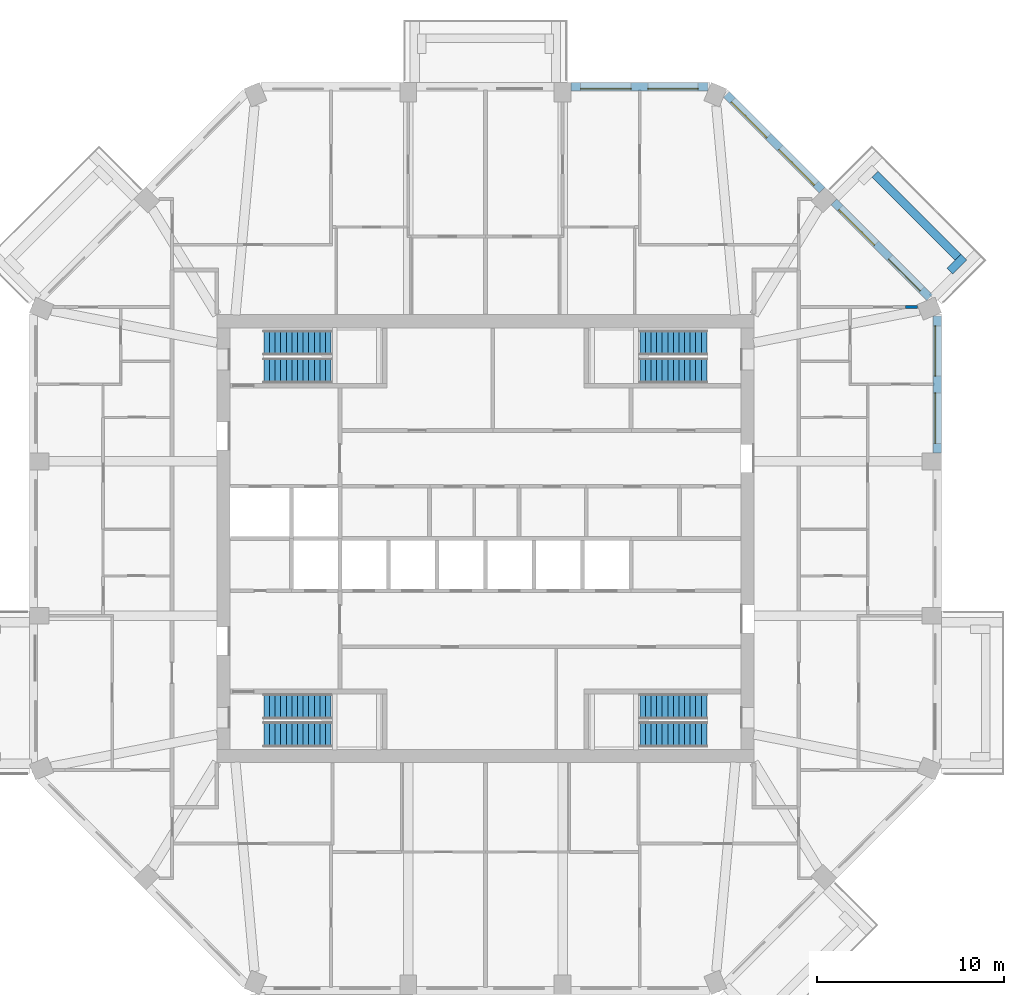
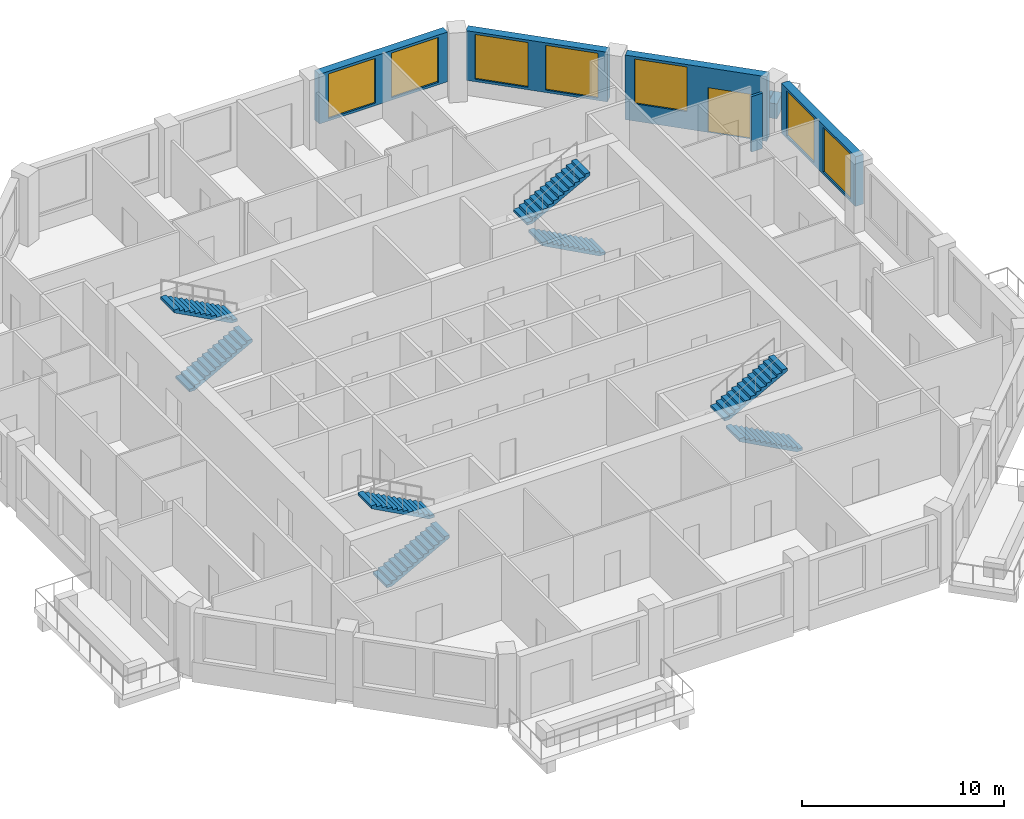
# One storey, part 9 of 10: 8 stair flights, 7 walls, 7 windows, 1 door, 8 openings, 4 elements without a shape of their own.
"""IFC4 building model written with IfcOpenShell, lengths in metres."""

from ifc_helpers import new_model, si_unit, direction, frame, frame_2d, origin, place, context, subcontext, project, spatial, polyline, rectangle, outline, extrude, material, layer, layer_set, type_object, element, fill, aggregate, save


model = new_model("IFC4")

# Units and contexts
model_context = context("Model", 3, precision=1e-05, world=origin(), true_north=direction((0.0, 1.0)))
body_context = subcontext(model_context, "Body", "Model", "MODEL_VIEW")
ifc_project = project(units=[si_unit("LENGTHUNIT", "METRE"), si_unit("AREAUNIT", "SQUARE_METRE"), si_unit("VOLUMEUNIT", "CUBIC_METRE"), si_unit("PLANEANGLEUNIT", "RADIAN"), si_unit("MASSUNIT", "GRAM", prefix="KILO")], contexts=[model_context])

# Site, building, storey
site_placement = place(None, origin())
site = spatial("IfcSite", under=ifc_project, at=site_placement, CompositionType="ELEMENT")
building_placement = place(site_placement, origin())
building = spatial("IfcBuilding", under=site, at=building_placement, Name="Msitu Wima Residences", CompositionType="ELEMENT")
storey_placement = place(building_placement, frame((0.0, 0.0, 195.89990234375)))
storey = spatial("IfcBuildingStorey", under=building, at=storey_placement, Name="L45", CompositionType="ELEMENT", Elevation=195.89990234375)

# Walls
ifc_material_1 = material(Name="Facing brick")
ifc_layer_1 = layer(ifc_material_1, 0.06494140625, Name="Facing brick")
ifc_material_2 = material(Name="Concrete C40/50", Category="concrete")
ifc_layer_2 = layer(ifc_material_2, 0.156005859375, Name="Concrete C40/50")
ifc_material_3 = material(Name="Waterproofing membrane")
ifc_layer_3 = layer(ifc_material_3, 0.00390625, Name="Waterproofing membrane")
ifc_material_4 = material(Name="Planting soil and planting")
ifc_layer_4 = layer(ifc_material_4, 0.22509765625, Name="Planting soil and planting")
ifc_layer_set_1 = layer_set([ifc_layer_1, ifc_layer_2, ifc_layer_3, ifc_layer_4], Name="Concrete C40/50")
wall_type_1 = type_object("IfcWallType", Name="Balcony planter PLANTER PL450", PredefinedType="USERDEFINED", material=ifc_layer_set_1)
wall_1_placement = place(storey_placement, frame((25.325927734375, 15.0810546875, 0.0), z_axis=(0.0, 0.0, 1.0), x_axis=(-0.707106781187, 0.707106781187, 0.0)))
element("IfcWall", 1, at=wall_1_placement, inside=storey, type_object=wall_type_1, Name="Balcony planter NE0 L45", ObjectType="PLANTER", PredefinedType="USERDEFINED", context=body_context, shape_type="SweptSolid", body=[
    extrude(rectangle(XDim=6.294189453125, YDim=0.449951171875, at=frame_2d((3.14697265625, 0.0))), origin(), (0.0, 0.0, 1.0), 0.900146484375),
])
wall_2_placement = place(storey_placement, frame((24.901611328125, 14.338623046875, 0.0), z_axis=(0.0, 0.0, 1.0), x_axis=(0.707106781187, 0.707106781187, 0.0)))
element("IfcWall", 2, at=wall_2_placement, inside=storey, type_object=wall_type_1, Name="Balcony planter NE0 L45", ObjectType="PLANTER", PredefinedType="USERDEFINED", context=body_context, shape_type="SweptSolid", body=[
    extrude(rectangle(XDim=1.050048828125, YDim=0.449951171875, at=frame_2d((0.52490234375, 0.0))), origin(), (0.0, 0.0, 1.0), 0.900146484375),
])

# Wall, openings, windows
ifc_material_5 = material(Name="Brick (red buff mix)", Category="masonry")
ifc_layer_5 = layer(ifc_material_5, 0.449951171875)
ifc_layer_set_2 = layer_set([ifc_layer_5], Name="Brick (red buff mix)")
wall_type_2 = type_object("IfcWallType", Name="Brick infill wall BW450", PredefinedType="SOLIDWALL", material=ifc_layer_set_2)
wall_3_placement = place(storey_placement, frame((24.22509765625, 4.587158203125, 0.900146484375), z_axis=(0.0, 0.0, 1.0), x_axis=(0.0, 1.0, 0.0)))
wall_3 = element("IfcWall", 3, at=wall_3_placement, inside=storey, type_object=wall_type_2, Name="Brick infill wall L45 E2", PredefinedType="SOLIDWALL", context=body_context, shape_type="SweptSolid", body=[
    extrude(rectangle(XDim=7.337646484375, YDim=0.449951171875, at=frame_2d((3.6689453125, 0.0))), origin(), (0.0, 0.0, 1.0), 3.0),
])
opening_1_placement = place(wall_3_placement, frame((0.518798828125, 0.0, 0.14990234375)))
opening_1 = element("IfcOpeningElement", 4, at=opening_1_placement, cuts=wall_3, Name="Opening W43-45.004", PredefinedType="OPENING", context=body_context, shape_type="SweptSolid", body=[
    extrude(rectangle(XDim=2.699951171875, YDim=2.699951171875, at=frame_2d((1.35009765625, 1.35009765625))), frame((0.0, 0.23486328125, 0.0), z_axis=(0.0, -1.0, 0.0), x_axis=(1.0, 0.0, 0.0)), (0.0, 0.0, 1.0), 0.469970703125),
])
opening_2_placement = place(wall_3_placement, frame((4.11865234375, 0.0, 0.14990234375)))
opening_2 = element("IfcOpeningElement", 5, at=opening_2_placement, cuts=wall_3, Name="Opening W43-45.005", PredefinedType="OPENING", context=body_context, shape_type="SweptSolid", body=[
    extrude(rectangle(XDim=2.699951171875, YDim=2.699951171875, at=frame_2d((1.35009765625, 1.35009765625))), frame((0.0, 0.23486328125, 0.0), z_axis=(0.0, -1.0, 0.0), x_axis=(1.0, 0.0, 0.0)), (0.0, 0.0, 1.0), 0.469970703125),
])
ifc_material_6 = material(Name="Anodised aluminium, bronze finish, clear low-emissivity double glazing", Category="aluminium")
window_type = type_object("IfcWindowType", Name="Window W2700x2700", PartitioningType="DOUBLE_PANEL_VERTICAL", PredefinedType="WINDOW", material=ifc_material_6)
window_1_placement = place(opening_1_placement, origin())
window_1 = element("IfcWindow", 6, at=window_1_placement, inside=storey, type_object=window_type, Name="Window L45 E2.1", OverallHeight=2.699951171875, OverallWidth=2.699951171875, PartitioningType="SINGLE_PANEL", PredefinedType="WINDOW", context=body_context, shape_type="SweptSolid", body=[
    extrude(rectangle(XDim=2.699951171875, YDim=2.699951171875, at=frame_2d((1.35009765625, 1.35009765625))), frame((0.0, 0.135009765625, 0.0), z_axis=(0.0, -1.0, 0.0), x_axis=(1.0, 0.0, 0.0)), (0.0, 0.0, 1.0), 0.06005859375),
])
fill(opening_1, window_1)
window_2_placement = place(opening_2_placement, origin())
window_2 = element("IfcWindow", 7, at=window_2_placement, inside=storey, type_object=window_type, Name="Window L45 E2.2", OverallHeight=2.699951171875, OverallWidth=2.699951171875, PartitioningType="SINGLE_PANEL", PredefinedType="WINDOW", context=body_context, shape_type="SweptSolid", body=[
    extrude(rectangle(XDim=2.699951171875, YDim=2.699951171875, at=frame_2d((1.35009765625, 1.35009765625))), frame((0.0, 0.135009765625, 0.0), z_axis=(0.0, -1.0, 0.0), x_axis=(1.0, 0.0, 0.0)), (0.0, 0.0, 1.0), 0.06005859375),
])
fill(opening_2, window_2)

# Wall, openings, door, window
wall_4_placement = place(storey_placement, frame((23.814697265625, 12.915283203125, 0.0), z_axis=(0.0, 0.0, 1.0), x_axis=(-0.707106781187, 0.707106781187, 0.0)))
wall_4 = element("IfcWall", 8, at=wall_4_placement, inside=storey, type_object=wall_type_2, Name="Brick infill wall L45 NE0", PredefinedType="SOLIDWALL", context=body_context, shape_type="SweptSolid", body=[
    extrude(rectangle(XDim=7.257080078125, YDim=0.449951171875, at=frame_2d((3.62841796875, 0.0))), origin(), (0.0, 0.0, 1.0), 3.900146484375),
])
opening_3_placement = place(wall_4_placement, frame((0.6142578125, 0.0, 0.0)))
opening_3 = element("IfcOpeningElement", 9, at=opening_3_placement, cuts=wall_4, Name="Opening D43-45.003", PredefinedType="OPENING", context=body_context, shape_type="SweptSolid", body=[
    extrude(rectangle(XDim=2.39990234375, YDim=2.699951171875, at=frame_2d((1.199951171875, 1.35009765625))), frame((0.0, 0.23486328125, 0.0), z_axis=(0.0, -1.0, 0.0), x_axis=(1.0, 0.0, 0.0)), (0.0, 0.0, 1.0), 0.469970703125),
])
opening_4_placement = place(wall_4_placement, frame((4.07861328125, 0.0, 1.050048828125)))
opening_4 = element("IfcOpeningElement", 10, at=opening_4_placement, cuts=wall_4, Name="Opening W43-45.011", PredefinedType="OPENING", context=body_context, shape_type="SweptSolid", body=[
    extrude(rectangle(XDim=2.699951171875, YDim=2.699951171875, at=frame_2d((1.35009765625, 1.35009765625))), frame((0.0, 0.23486328125, 0.0), z_axis=(0.0, -1.0, 0.0), x_axis=(1.0, 0.0, 0.0)), (0.0, 0.0, 1.0), 0.469970703125),
])
door_type = type_object("IfcDoorType", Name="Balcony door D2400x2700", OperationType="SLIDING_TO_LEFT", PredefinedType="DOOR", material=ifc_material_6)
door_placement = place(opening_3_placement, origin())
door = element("IfcDoor", 11, at=door_placement, inside=storey, type_object=door_type, Name="Balcony door L45 NE0", OperationType="SINGLE_SWING_LEFT", OverallHeight=2.699951171875, OverallWidth=2.39990234375, PredefinedType="DOOR", context=body_context, shape_type="SweptSolid", body=[
    extrude(rectangle(XDim=2.39990234375, YDim=2.699951171875, at=frame_2d((1.199951171875, 1.35009765625))), frame((0.0, 0.1298828125, 0.0), z_axis=(0.0, -1.0, 0.0), x_axis=(1.0, 0.0, 0.0)), (0.0, 0.0, 1.0), 0.050048828125),
])
fill(opening_3, door)
window_3_placement = place(opening_4_placement, origin())
window_3 = element("IfcWindow", 12, at=window_3_placement, inside=storey, type_object=window_type, Name="Window L45 NE0.2", OverallHeight=2.699951171875, OverallWidth=2.699951171875, PartitioningType="SINGLE_PANEL", PredefinedType="WINDOW", context=body_context, shape_type="SweptSolid", body=[
    extrude(rectangle(XDim=2.699951171875, YDim=2.699951171875, at=frame_2d((1.35009765625, 1.35009765625))), frame((0.0, 0.135009765625, 0.0), z_axis=(0.0, -1.0, 0.0), x_axis=(1.0, 0.0, 0.0)), (0.0, 0.0, 1.0), 0.06005859375),
])
fill(opening_4, window_3)

# Wall, openings, windows
wall_5_placement = place(storey_placement, frame((18.046875, 18.68310546875, 0.900146484375), z_axis=(0.0, 0.0, 1.0), x_axis=(-0.707106781187, 0.707106781187, 0.0)))
wall_5 = element("IfcWall", 13, at=wall_5_placement, inside=storey, type_object=wall_type_2, Name="Brick infill wall L45 NE1", PredefinedType="SOLIDWALL", context=body_context, shape_type="SweptSolid", body=[
    extrude(rectangle(XDim=7.257080078125, YDim=0.449951171875, at=frame_2d((3.62841796875, 0.0))), origin(), (0.0, 0.0, 1.0), 3.0),
])
opening_5_placement = place(wall_5_placement, frame((0.478515625, 0.0, 0.14990234375)))
opening_5 = element("IfcOpeningElement", 14, at=opening_5_placement, cuts=wall_5, Name="Opening W43-45.012", PredefinedType="OPENING", context=body_context, shape_type="SweptSolid", body=[
    extrude(rectangle(XDim=2.699951171875, YDim=2.699951171875, at=frame_2d((1.35009765625, 1.35009765625))), frame((0.0, 0.23486328125, 0.0), z_axis=(0.0, -1.0, 0.0), x_axis=(1.0, 0.0, 0.0)), (0.0, 0.0, 1.0), 0.469970703125),
])
opening_6_placement = place(wall_5_placement, frame((4.07861328125, 0.0, 0.14990234375)))
opening_6 = element("IfcOpeningElement", 15, at=opening_6_placement, cuts=wall_5, Name="Opening W43-45.013", PredefinedType="OPENING", context=body_context, shape_type="SweptSolid", body=[
    extrude(rectangle(XDim=2.699951171875, YDim=2.699951171875, at=frame_2d((1.35009765625, 1.35009765625))), frame((0.0, 0.23486328125, 0.0), z_axis=(0.0, -1.0, 0.0), x_axis=(1.0, 0.0, 0.0)), (0.0, 0.0, 1.0), 0.469970703125),
])
window_4_placement = place(opening_5_placement, origin())
window_4 = element("IfcWindow", 16, at=window_4_placement, inside=storey, type_object=window_type, Name="Window L45 NE1.1", OverallHeight=2.699951171875, OverallWidth=2.699951171875, PartitioningType="SINGLE_PANEL", PredefinedType="WINDOW", context=body_context, shape_type="SweptSolid", body=[
    extrude(rectangle(XDim=2.699951171875, YDim=2.699951171875, at=frame_2d((1.35009765625, 1.35009765625))), frame((0.0, 0.135009765625, 0.0), z_axis=(0.0, -1.0, 0.0), x_axis=(1.0, 0.0, 0.0)), (0.0, 0.0, 1.0), 0.06005859375),
])
fill(opening_5, window_4)
window_5_placement = place(opening_6_placement, origin())
window_5 = element("IfcWindow", 17, at=window_5_placement, inside=storey, type_object=window_type, Name="Window L45 NE1.2", OverallHeight=2.699951171875, OverallWidth=2.699951171875, PartitioningType="SINGLE_PANEL", PredefinedType="WINDOW", context=body_context, shape_type="SweptSolid", body=[
    extrude(rectangle(XDim=2.699951171875, YDim=2.699951171875, at=frame_2d((1.35009765625, 1.35009765625))), frame((0.0, 0.135009765625, 0.0), z_axis=(0.0, -1.0, 0.0), x_axis=(1.0, 0.0, 0.0)), (0.0, 0.0, 1.0), 0.06005859375),
])
fill(opening_6, window_5)

wall_6_placement = place(storey_placement, frame((11.9248046875, 24.22509765625, 0.900146484375), z_axis=(0.0, 0.0, 1.0), x_axis=(-1.0, 0.0, 0.0)))
wall_6 = element("IfcWall", 18, at=wall_6_placement, inside=storey, type_object=wall_type_2, Name="Brick infill wall L45 N0", PredefinedType="SOLIDWALL", context=body_context, shape_type="SweptSolid", body=[
    extrude(rectangle(XDim=7.337646484375, YDim=0.449951171875, at=frame_2d((3.6689453125, 0.0))), origin(), (0.0, 0.0, 1.0), 3.0),
])
opening_7_placement = place(wall_6_placement, frame((0.518798828125, 0.0, 0.14990234375)))
opening_7 = element("IfcOpeningElement", 19, at=opening_7_placement, cuts=wall_6, Name="Opening W43-45.006", PredefinedType="OPENING", context=body_context, shape_type="SweptSolid", body=[
    extrude(rectangle(XDim=2.699951171875, YDim=2.699951171875, at=frame_2d((1.35009765625, 1.35009765625))), frame((0.0, 0.23486328125, 0.0), z_axis=(0.0, -1.0, 0.0), x_axis=(1.0, 0.0, 0.0)), (0.0, 0.0, 1.0), 0.469970703125),
])
opening_8_placement = place(wall_6_placement, frame((4.11865234375, 0.0, 0.14990234375)))
opening_8 = element("IfcOpeningElement", 20, at=opening_8_placement, cuts=wall_6, Name="Opening W43-45.007", PredefinedType="OPENING", context=body_context, shape_type="SweptSolid", body=[
    extrude(rectangle(XDim=2.699951171875, YDim=2.699951171875, at=frame_2d((1.35009765625, 1.35009765625))), frame((0.0, 0.23486328125, 0.0), z_axis=(0.0, -1.0, 0.0), x_axis=(1.0, 0.0, 0.0)), (0.0, 0.0, 1.0), 0.469970703125),
])
window_6_placement = place(opening_7_placement, origin())
window_6 = element("IfcWindow", 21, at=window_6_placement, inside=storey, type_object=window_type, Name="Window L45 N0.1", OverallHeight=2.699951171875, OverallWidth=2.699951171875, PartitioningType="SINGLE_PANEL", PredefinedType="WINDOW", context=body_context, shape_type="SweptSolid", body=[
    extrude(rectangle(XDim=2.699951171875, YDim=2.699951171875, at=frame_2d((1.35009765625, 1.35009765625))), frame((0.0, 0.135009765625, 0.0), z_axis=(0.0, -1.0, 0.0), x_axis=(1.0, 0.0, 0.0)), (0.0, 0.0, 1.0), 0.06005859375),
])
fill(opening_7, window_6)
window_7_placement = place(opening_8_placement, origin())
window_7 = element("IfcWindow", 22, at=window_7_placement, inside=storey, type_object=window_type, Name="Window L45 N0.2", OverallHeight=2.699951171875, OverallWidth=2.699951171875, PartitioningType="SINGLE_PANEL", PredefinedType="WINDOW", context=body_context, shape_type="SweptSolid", body=[
    extrude(rectangle(XDim=2.699951171875, YDim=2.699951171875, at=frame_2d((1.35009765625, 1.35009765625))), frame((0.0, 0.135009765625, 0.0), z_axis=(0.0, -1.0, 0.0), x_axis=(1.0, 0.0, 0.0)), (0.0, 0.0, 1.0), 0.06005859375),
])
fill(opening_8, window_7)

# Wall
ifc_material_7 = material(Name="Plaster")
ifc_layer_6 = layer(ifc_material_7, 0.011962890625, Name="Plaster")
ifc_material_8 = material(Name="Concrete blockwork", Category="masonry")
ifc_layer_7 = layer(ifc_material_8, 0.1259765625, Name="Concrete blockwork")
ifc_layer_8 = layer(ifc_material_7, 0.011962890625, Name="Plaster")
ifc_layer_set_3 = layer_set([ifc_layer_6, ifc_layer_7, ifc_layer_8], Name="Concrete blockwork")
wall_type_3 = type_object("IfcWallType", Name="Partition PW150", PredefinedType="PARTITIONING", material=ifc_layer_set_3)
wall_7_placement = place(storey_placement, frame((22.529296875, 12.409912109375, 0.0), z_axis=(0.0, 0.0, 1.0), x_axis=(1.0, 0.0, 0.0)))
element("IfcWall", 23, at=wall_7_placement, inside=storey, type_object=wall_type_3, Name="Partition", PredefinedType="PARTITIONING", context=body_context, shape_type="SweptSolid", body=[
    extrude(rectangle(XDim=0.640380859375, YDim=0.14990234375, at=frame_2d((0.3203125, 0.0))), origin(), (0.0, 0.0, 1.0), 3.35009765625),
])

# Stair, stair flights
stair_type = type_object("IfcStairType", Name="Exit stair ES1615-135", PredefinedType="HALF_TURN_STAIR", material=ifc_material_2)
stair_1_placement = place(storey_placement, origin())
stair_1 = element("IfcStair", 24, at=stair_1_placement, inside=storey, type_object=stair_type, Name="Exit stair 1", PredefinedType="HALF_TURN_STAIR")
stair_flight_type = type_object("IfcStairFlightType", Name="Exit stair flight ES1615-135", PredefinedType="STRAIGHT", material=ifc_material_2)
stair_flight_1_placement = place(storey_placement, frame((-11.875, 9.0, 0.0), z_axis=(0.0, 0.0, 1.0), x_axis=(1.0, 0.0, 0.0)))
stair_flight_1 = element("IfcStairFlight", 25, at=stair_flight_1_placement, type_object=stair_flight_type, Name="S1 flight 1", NumberOfRisers=13, NumberOfTreads=12, PredefinedType="STRAIGHT", RiserHeight=0.161538462, TreadLength=0.3, context=body_context, shape_type="SweptSolid", body=[
    extrude(outline(polyline([(0.0, 0.0), (0.0, 0.16162109375), (0.300048828125, 0.16162109375), (0.300048828125, 0.322998046875), (0.60009765625, 0.322998046875), (0.60009765625, 0.484619140625), (0.89990234375, 0.484619140625), (0.89990234375, 0.646240234375), (1.199951171875, 0.646240234375), (1.199951171875, 0.8076171875), (1.5, 0.8076171875), (1.5, 0.96923828125), (1.800048828125, 0.96923828125), (1.800048828125, 1.130859375), (2.10009765625, 1.130859375), (2.10009765625, 1.292236328125), (2.39990234375, 1.292236328125), (2.39990234375, 1.453857421875), (2.699951171875, 1.453857421875), (2.699951171875, 1.615478515625), (3.0, 1.615478515625), (3.0, 1.77685546875), (3.300048828125, 1.77685546875), (3.300048828125, 1.9384765625), (3.60009765625, 1.9384765625), (3.60009765625, 2.10009765625), (3.60009765625, 1.768310546875), (0.316162109375, 0.0), (0.0, 0.0)])), frame((0.0, 0.675048828125, 0.0), z_axis=(0.0, -1.0, 0.0), x_axis=(1.0, 0.0, 0.0)), (0.0, 0.0, 1.0), 1.35009765625),
])
stair_flight_2_placement = place(storey_placement, frame((-8.27490234375, 10.5, 2.10009765625), z_axis=(0.0, 0.0, 1.0), x_axis=(-1.0, 0.0, 0.0)))
stair_flight_2 = element("IfcStairFlight", 26, at=stair_flight_2_placement, type_object=stair_flight_type, Name="S1 flight 2", NumberOfRisers=13, NumberOfTreads=12, PredefinedType="STRAIGHT", RiserHeight=0.161538462, TreadLength=0.3, context=body_context, shape_type="SweptSolid", body=[
    extrude(outline(polyline([(0.0, 0.0), (0.0, 0.16162109375), (0.300048828125, 0.16162109375), (0.300048828125, 0.322998046875), (0.60009765625, 0.322998046875), (0.60009765625, 0.484619140625), (0.89990234375, 0.484619140625), (0.89990234375, 0.646240234375), (1.199951171875, 0.646240234375), (1.199951171875, 0.8076171875), (1.5, 0.8076171875), (1.5, 0.96923828125), (1.800048828125, 0.96923828125), (1.800048828125, 1.130859375), (2.10009765625, 1.130859375), (2.10009765625, 1.292236328125), (2.39990234375, 1.292236328125), (2.39990234375, 1.453857421875), (2.699951171875, 1.453857421875), (2.699951171875, 1.615478515625), (3.0, 1.615478515625), (3.0, 1.77685546875), (3.300048828125, 1.77685546875), (3.300048828125, 1.9384765625), (3.60009765625, 1.9384765625), (3.60009765625, 2.10009765625), (3.60009765625, 1.768310546875), (0.316162109375, 0.0), (0.0, 0.0)])), frame((0.0, 0.675048828125, 0.0), z_axis=(0.0, -1.0, 0.0), x_axis=(1.0, 0.0, 0.0)), (0.0, 0.0, 1.0), 1.35009765625),
])
aggregate(stair_1, [stair_flight_1, stair_flight_2])

stair_2_placement = place(storey_placement, origin())
stair_2 = element("IfcStair", 27, at=stair_2_placement, inside=storey, type_object=stair_type, Name="Exit stair 2", PredefinedType="HALF_TURN_STAIR")
stair_flight_3_placement = place(storey_placement, frame((-11.875, -10.5, 0.0), z_axis=(0.0, 0.0, 1.0), x_axis=(1.0, 0.0, 0.0)))
stair_flight_3 = element("IfcStairFlight", 28, at=stair_flight_3_placement, type_object=stair_flight_type, Name="S2 flight 1", NumberOfRisers=13, NumberOfTreads=12, PredefinedType="STRAIGHT", RiserHeight=0.161538462, TreadLength=0.3, context=body_context, shape_type="SweptSolid", body=[
    extrude(outline(polyline([(0.0, 0.0), (0.0, 0.16162109375), (0.300048828125, 0.16162109375), (0.300048828125, 0.322998046875), (0.60009765625, 0.322998046875), (0.60009765625, 0.484619140625), (0.89990234375, 0.484619140625), (0.89990234375, 0.646240234375), (1.199951171875, 0.646240234375), (1.199951171875, 0.8076171875), (1.5, 0.8076171875), (1.5, 0.96923828125), (1.800048828125, 0.96923828125), (1.800048828125, 1.130859375), (2.10009765625, 1.130859375), (2.10009765625, 1.292236328125), (2.39990234375, 1.292236328125), (2.39990234375, 1.453857421875), (2.699951171875, 1.453857421875), (2.699951171875, 1.615478515625), (3.0, 1.615478515625), (3.0, 1.77685546875), (3.300048828125, 1.77685546875), (3.300048828125, 1.9384765625), (3.60009765625, 1.9384765625), (3.60009765625, 2.10009765625), (3.60009765625, 1.768310546875), (0.316162109375, 0.0), (0.0, 0.0)])), frame((0.0, 0.675048828125, 0.0), z_axis=(0.0, -1.0, 0.0), x_axis=(1.0, 0.0, 0.0)), (0.0, 0.0, 1.0), 1.35009765625),
])
stair_flight_4_placement = place(storey_placement, frame((-8.27490234375, -9.0, 2.10009765625), z_axis=(0.0, 0.0, 1.0), x_axis=(-1.0, 0.0, 0.0)))
stair_flight_4 = element("IfcStairFlight", 29, at=stair_flight_4_placement, type_object=stair_flight_type, Name="S2 flight 2", NumberOfRisers=13, NumberOfTreads=12, PredefinedType="STRAIGHT", RiserHeight=0.161538462, TreadLength=0.3, context=body_context, shape_type="SweptSolid", body=[
    extrude(outline(polyline([(0.0, 0.0), (0.0, 0.16162109375), (0.300048828125, 0.16162109375), (0.300048828125, 0.322998046875), (0.60009765625, 0.322998046875), (0.60009765625, 0.484619140625), (0.89990234375, 0.484619140625), (0.89990234375, 0.646240234375), (1.199951171875, 0.646240234375), (1.199951171875, 0.8076171875), (1.5, 0.8076171875), (1.5, 0.96923828125), (1.800048828125, 0.96923828125), (1.800048828125, 1.130859375), (2.10009765625, 1.130859375), (2.10009765625, 1.292236328125), (2.39990234375, 1.292236328125), (2.39990234375, 1.453857421875), (2.699951171875, 1.453857421875), (2.699951171875, 1.615478515625), (3.0, 1.615478515625), (3.0, 1.77685546875), (3.300048828125, 1.77685546875), (3.300048828125, 1.9384765625), (3.60009765625, 1.9384765625), (3.60009765625, 2.10009765625), (3.60009765625, 1.768310546875), (0.316162109375, 0.0), (0.0, 0.0)])), frame((0.0, 0.675048828125, 0.0), z_axis=(0.0, -1.0, 0.0), x_axis=(1.0, 0.0, 0.0)), (0.0, 0.0, 1.0), 1.35009765625),
])
aggregate(stair_2, [stair_flight_3, stair_flight_4])

stair_3_placement = place(storey_placement, origin())
stair_3 = element("IfcStair", 30, at=stair_3_placement, inside=storey, type_object=stair_type, Name="Exit stair 3", PredefinedType="HALF_TURN_STAIR")
stair_flight_5_placement = place(storey_placement, frame((11.875, 9.0, 0.0), z_axis=(0.0, 0.0, 1.0), x_axis=(-1.0, 0.0, 0.0)))
stair_flight_5 = element("IfcStairFlight", 31, at=stair_flight_5_placement, type_object=stair_flight_type, Name="S3 flight 1", NumberOfRisers=13, NumberOfTreads=12, PredefinedType="STRAIGHT", RiserHeight=0.161538462, TreadLength=0.3, context=body_context, shape_type="SweptSolid", body=[
    extrude(outline(polyline([(0.0, 0.0), (0.0, 0.16162109375), (0.300048828125, 0.16162109375), (0.300048828125, 0.322998046875), (0.60009765625, 0.322998046875), (0.60009765625, 0.484619140625), (0.89990234375, 0.484619140625), (0.89990234375, 0.646240234375), (1.199951171875, 0.646240234375), (1.199951171875, 0.8076171875), (1.5, 0.8076171875), (1.5, 0.96923828125), (1.800048828125, 0.96923828125), (1.800048828125, 1.130859375), (2.10009765625, 1.130859375), (2.10009765625, 1.292236328125), (2.39990234375, 1.292236328125), (2.39990234375, 1.453857421875), (2.699951171875, 1.453857421875), (2.699951171875, 1.615478515625), (3.0, 1.615478515625), (3.0, 1.77685546875), (3.300048828125, 1.77685546875), (3.300048828125, 1.9384765625), (3.60009765625, 1.9384765625), (3.60009765625, 2.10009765625), (3.60009765625, 1.768310546875), (0.316162109375, 0.0), (0.0, 0.0)])), frame((0.0, 0.675048828125, 0.0), z_axis=(0.0, -1.0, 0.0), x_axis=(1.0, 0.0, 0.0)), (0.0, 0.0, 1.0), 1.35009765625),
])
stair_flight_6_placement = place(storey_placement, frame((8.27490234375, 10.5, 2.10009765625), z_axis=(0.0, 0.0, 1.0), x_axis=(1.0, 0.0, 0.0)))
stair_flight_6 = element("IfcStairFlight", 32, at=stair_flight_6_placement, type_object=stair_flight_type, Name="S3 flight 2", NumberOfRisers=13, NumberOfTreads=12, PredefinedType="STRAIGHT", RiserHeight=0.161538462, TreadLength=0.3, context=body_context, shape_type="SweptSolid", body=[
    extrude(outline(polyline([(0.0, 0.0), (0.0, 0.16162109375), (0.300048828125, 0.16162109375), (0.300048828125, 0.322998046875), (0.60009765625, 0.322998046875), (0.60009765625, 0.484619140625), (0.89990234375, 0.484619140625), (0.89990234375, 0.646240234375), (1.199951171875, 0.646240234375), (1.199951171875, 0.8076171875), (1.5, 0.8076171875), (1.5, 0.96923828125), (1.800048828125, 0.96923828125), (1.800048828125, 1.130859375), (2.10009765625, 1.130859375), (2.10009765625, 1.292236328125), (2.39990234375, 1.292236328125), (2.39990234375, 1.453857421875), (2.699951171875, 1.453857421875), (2.699951171875, 1.615478515625), (3.0, 1.615478515625), (3.0, 1.77685546875), (3.300048828125, 1.77685546875), (3.300048828125, 1.9384765625), (3.60009765625, 1.9384765625), (3.60009765625, 2.10009765625), (3.60009765625, 1.768310546875), (0.316162109375, 0.0), (0.0, 0.0)])), frame((0.0, 0.675048828125, 0.0), z_axis=(0.0, -1.0, 0.0), x_axis=(1.0, 0.0, 0.0)), (0.0, 0.0, 1.0), 1.35009765625),
])
aggregate(stair_3, [stair_flight_5, stair_flight_6])

stair_4_placement = place(storey_placement, origin())
stair_4 = element("IfcStair", 33, at=stair_4_placement, inside=storey, type_object=stair_type, Name="Exit stair 4", PredefinedType="HALF_TURN_STAIR")
stair_flight_7_placement = place(storey_placement, frame((11.875, -10.5, 0.0), z_axis=(0.0, 0.0, 1.0), x_axis=(-1.0, 0.0, 0.0)))
stair_flight_7 = element("IfcStairFlight", 34, at=stair_flight_7_placement, type_object=stair_flight_type, Name="S4 flight 1", NumberOfRisers=13, NumberOfTreads=12, PredefinedType="STRAIGHT", RiserHeight=0.161538462, TreadLength=0.3, context=body_context, shape_type="SweptSolid", body=[
    extrude(outline(polyline([(0.0, 0.0), (0.0, 0.16162109375), (0.300048828125, 0.16162109375), (0.300048828125, 0.322998046875), (0.60009765625, 0.322998046875), (0.60009765625, 0.484619140625), (0.89990234375, 0.484619140625), (0.89990234375, 0.646240234375), (1.199951171875, 0.646240234375), (1.199951171875, 0.8076171875), (1.5, 0.8076171875), (1.5, 0.96923828125), (1.800048828125, 0.96923828125), (1.800048828125, 1.130859375), (2.10009765625, 1.130859375), (2.10009765625, 1.292236328125), (2.39990234375, 1.292236328125), (2.39990234375, 1.453857421875), (2.699951171875, 1.453857421875), (2.699951171875, 1.615478515625), (3.0, 1.615478515625), (3.0, 1.77685546875), (3.300048828125, 1.77685546875), (3.300048828125, 1.9384765625), (3.60009765625, 1.9384765625), (3.60009765625, 2.10009765625), (3.60009765625, 1.768310546875), (0.316162109375, 0.0), (0.0, 0.0)])), frame((0.0, 0.675048828125, 0.0), z_axis=(0.0, -1.0, 0.0), x_axis=(1.0, 0.0, 0.0)), (0.0, 0.0, 1.0), 1.35009765625),
])
stair_flight_8_placement = place(storey_placement, frame((8.27490234375, -9.0, 2.10009765625), z_axis=(0.0, 0.0, 1.0), x_axis=(1.0, 0.0, 0.0)))
stair_flight_8 = element("IfcStairFlight", 35, at=stair_flight_8_placement, type_object=stair_flight_type, Name="S4 flight 2", NumberOfRisers=13, NumberOfTreads=12, PredefinedType="STRAIGHT", RiserHeight=0.161538462, TreadLength=0.3, context=body_context, shape_type="SweptSolid", body=[
    extrude(outline(polyline([(0.0, 0.0), (0.0, 0.16162109375), (0.300048828125, 0.16162109375), (0.300048828125, 0.322998046875), (0.60009765625, 0.322998046875), (0.60009765625, 0.484619140625), (0.89990234375, 0.484619140625), (0.89990234375, 0.646240234375), (1.199951171875, 0.646240234375), (1.199951171875, 0.8076171875), (1.5, 0.8076171875), (1.5, 0.96923828125), (1.800048828125, 0.96923828125), (1.800048828125, 1.130859375), (2.10009765625, 1.130859375), (2.10009765625, 1.292236328125), (2.39990234375, 1.292236328125), (2.39990234375, 1.453857421875), (2.699951171875, 1.453857421875), (2.699951171875, 1.615478515625), (3.0, 1.615478515625), (3.0, 1.77685546875), (3.300048828125, 1.77685546875), (3.300048828125, 1.9384765625), (3.60009765625, 1.9384765625), (3.60009765625, 2.10009765625), (3.60009765625, 1.768310546875), (0.316162109375, 0.0), (0.0, 0.0)])), frame((0.0, 0.675048828125, 0.0), z_axis=(0.0, -1.0, 0.0), x_axis=(1.0, 0.0, 0.0)), (0.0, 0.0, 1.0), 1.35009765625),
])
aggregate(stair_4, [stair_flight_7, stair_flight_8])

save(model, "model.ifc")
